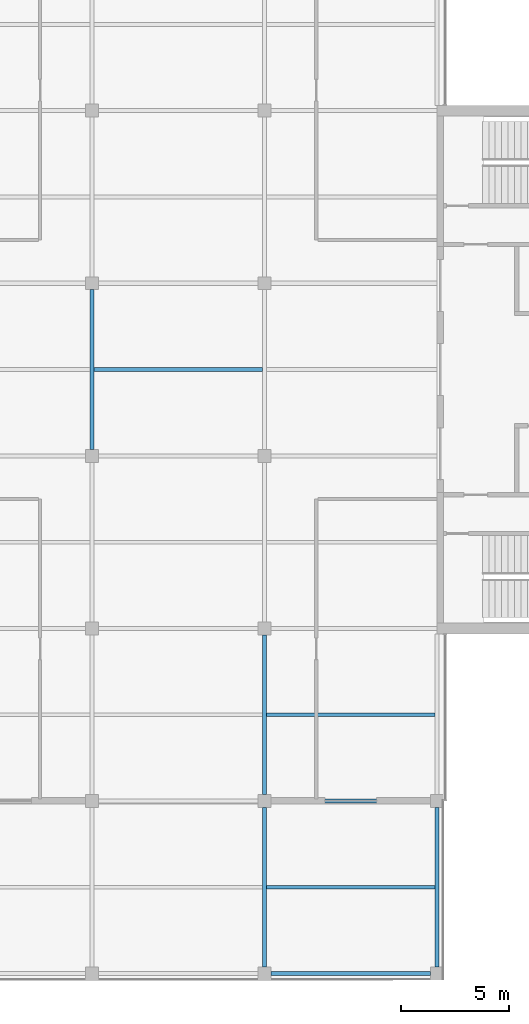
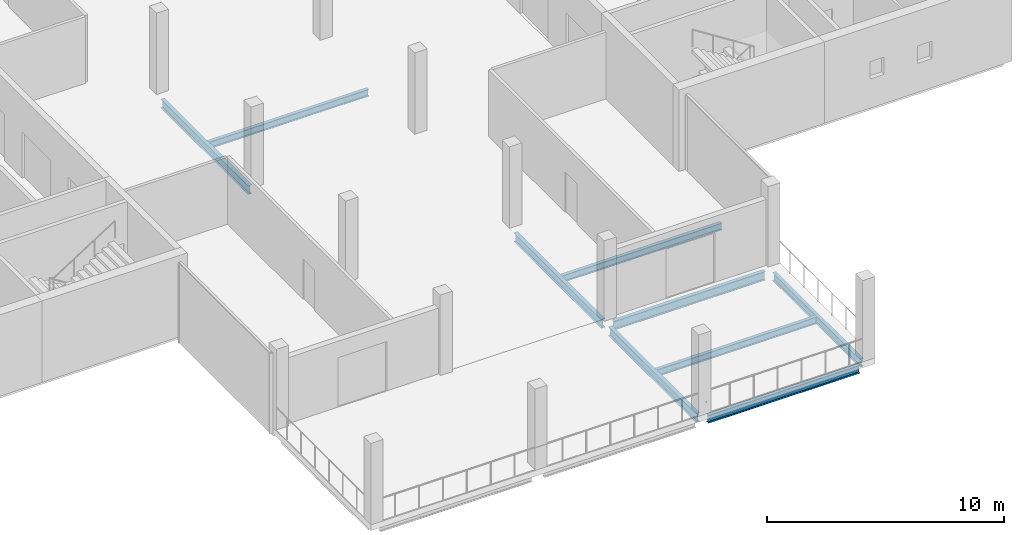
# One storey, part 3 of 12: 9 beams.
"""IFC4 building model written with IfcOpenShell, lengths in metres."""

from ifc_helpers import new_model, si_unit, direction, frame, origin, origin_2d, place, context, subcontext, project, spatial, i_section, extrude, material, material_profile, profile_set, type_object, element, save


model = new_model("IFC4")

# Units and contexts
model_context = context("Model", 3, precision=1e-05, world=origin(), true_north=direction((0.0, 1.0)))
body_context = subcontext(model_context, "Body", "Model", "MODEL_VIEW")
ifc_project = project(units=[si_unit("LENGTHUNIT", "METRE"), si_unit("AREAUNIT", "SQUARE_METRE"), si_unit("VOLUMEUNIT", "CUBIC_METRE"), si_unit("PLANEANGLEUNIT", "RADIAN"), si_unit("MASSUNIT", "GRAM", prefix="KILO")], contexts=[model_context])

# Site, building, storey
site_placement = place(None, origin())
site = spatial("IfcSite", under=ifc_project, at=site_placement, CompositionType="ELEMENT")
building_placement = place(site_placement, origin())
building = spatial("IfcBuilding", under=site, at=building_placement, Name="Crosswind Convention Tower", CompositionType="ELEMENT")
storey_placement = place(building_placement, frame((0.0, 0.0, 328.10009765625)))
storey = spatial("IfcBuildingStorey", under=building, at=storey_placement, Name="L71", CompositionType="ELEMENT", Elevation=328.10009765625)

# Beams
ifc_material = material(Name="Steel S355", Category="steel")
ifc_material_profile_1 = material_profile(ifc_material, i_section(OverallWidth=0.177734375, OverallDepth=0.406494140625, WebThickness=0.0078125, FlangeThickness=0.0126953125, FilletRadius=0.01025390625, at=origin_2d()), Name="UB 406x178x60")
ifc_profile_set_1 = profile_set([ifc_material_profile_1], Name="Steel S355")
beam_type_1 = type_object("IfcBeamType", Name="Edge beam UB 406x178x60", PredefinedType="SPANDREL", material=ifc_profile_set_1)
for number, where, z_axis, x_axis, name in (
    (1, (129.300048828125, 72.0, -0.50341796875), (1.0, 0.0, 0.0), (0.0, 1.0, 0.0), "B15 L71 edge beam 9"),
    (2, (137.0, 72.300048828125, -0.50341796875), (0.0, 1.0, 0.0), (-1.0, 0.0, 0.0), "B15 L71 edge beam 11"),
):
    element("IfcBeam", number, at=place(storey_placement, frame(where, z_axis=z_axis, x_axis=x_axis)), inside=storey, type_object=beam_type_1, Name=name, PredefinedType="SPANDREL", context=body_context, shape_type="SweptSolid", body=[
        extrude(i_section(OverallWidth=0.177734375, OverallDepth=0.406494140625, WebThickness=0.0078125, FlangeThickness=0.0126953125, FilletRadius=0.01025390625, at=origin_2d()), origin(), (0.0, 0.0, 1.0), 7.39990234375),
    ])
ifc_material_profile_2 = material_profile(ifc_material, i_section(OverallWidth=0.18994140625, OverallDepth=0.45361328125, WebThickness=0.008544921875, FlangeThickness=0.0126953125, FilletRadius=0.01025390625, at=origin_2d()), Name="UB 457x191x67")
ifc_profile_set_2 = profile_set([ifc_material_profile_2], Name="Steel S355")
beam_type_2 = type_object("IfcBeamType", Name="Girder UB 457x191x67", PredefinedType="BEAM", material=ifc_profile_set_2)
for number, where, z_axis, x_axis, name in (
    (3, (121.0, 96.300048828125, -0.52685546875), (0.0, 1.0, 0.0), (-1.0, 0.0, 0.0), "B1 L71 girder 6"),
    (4, (129.0, 72.300048828125, -0.52685546875), (0.0, 1.0, 0.0), (-1.0, 0.0, 0.0), "B1 L71 girder 16"),
    (5, (129.0, 80.300048828125, -0.52685546875), (0.0, 1.0, 0.0), (-1.0, 0.0, 0.0), "B1 L71 girder 17"),
    (6, (129.300048828125, 80.0, -0.52685546875), (1.0, 0.0, 0.0), (0.0, 1.0, 0.0), "B1 L71 girder 23"),
):
    element("IfcBeam", number, at=place(storey_placement, frame(where, z_axis=z_axis, x_axis=x_axis)), inside=storey, type_object=beam_type_2, Name=name, PredefinedType="BEAM", context=body_context, shape_type="SweptSolid", body=[
        extrude(i_section(OverallWidth=0.18994140625, OverallDepth=0.45361328125, WebThickness=0.008544921875, FlangeThickness=0.0126953125, FilletRadius=0.01025390625, at=origin_2d()), origin(), (0.0, 0.0, 1.0), 7.39990234375),
    ])
ifc_material_profile_3 = material_profile(ifc_material, i_section(OverallWidth=0.17138671875, OverallDepth=0.355712890625, WebThickness=0.00732421875, FlangeThickness=0.011474609375, FilletRadius=0.01025390625, at=origin_2d()), Name="UB 356x171x51")
ifc_profile_set_3 = profile_set([ifc_material_profile_3], Name="Steel S355")
beam_type_3 = type_object("IfcBeamType", Name="Secondary beam UB 356x171x51", PredefinedType="JOIST", material=ifc_profile_set_3)
beam_placement = place(storey_placement, frame((121.094970703125, 100.0, -0.477783203125), z_axis=(1.0, 0.0, 0.0), x_axis=(0.0, 1.0, 0.0)))
element("IfcBeam", 7, at=beam_placement, inside=storey, type_object=beam_type_3, Name="B8 L71 secondary beam 11", PredefinedType="JOIST", context=body_context, shape_type="SweptSolid", body=[
    extrude(i_section(OverallWidth=0.17138671875, OverallDepth=0.355712890625, WebThickness=0.00732421875, FlangeThickness=0.011474609375, FilletRadius=0.01025390625, at=origin_2d()), origin(), (0.0, 0.0, 1.0), 7.81005859375),
])
for number, where, z_axis, x_axis, name in (
    (8, (129.094970703125, 76.0, -0.477783203125), (1.0, 0.0, 0.0), (0.0, 1.0, 0.0), "B8 L71 secondary beam 15"),
    (9, (129.094970703125, 84.0, -0.477783203125), (1.0, 0.0, 0.0), (0.0, 1.0, 0.0), "B8 L71 secondary beam 16"),
):
    element("IfcBeam", number, at=place(storey_placement, frame(where, z_axis=z_axis, x_axis=x_axis)), inside=storey, type_object=beam_type_3, Name=name, PredefinedType="JOIST", context=body_context, shape_type="SweptSolid", body=[
        extrude(i_section(OverallWidth=0.17138671875, OverallDepth=0.355712890625, WebThickness=0.00732421875, FlangeThickness=0.011474609375, FilletRadius=0.01025390625, at=origin_2d()), origin(), (0.0, 0.0, 1.0), 7.816162109375),
    ])

save(model, "model.ifc")
